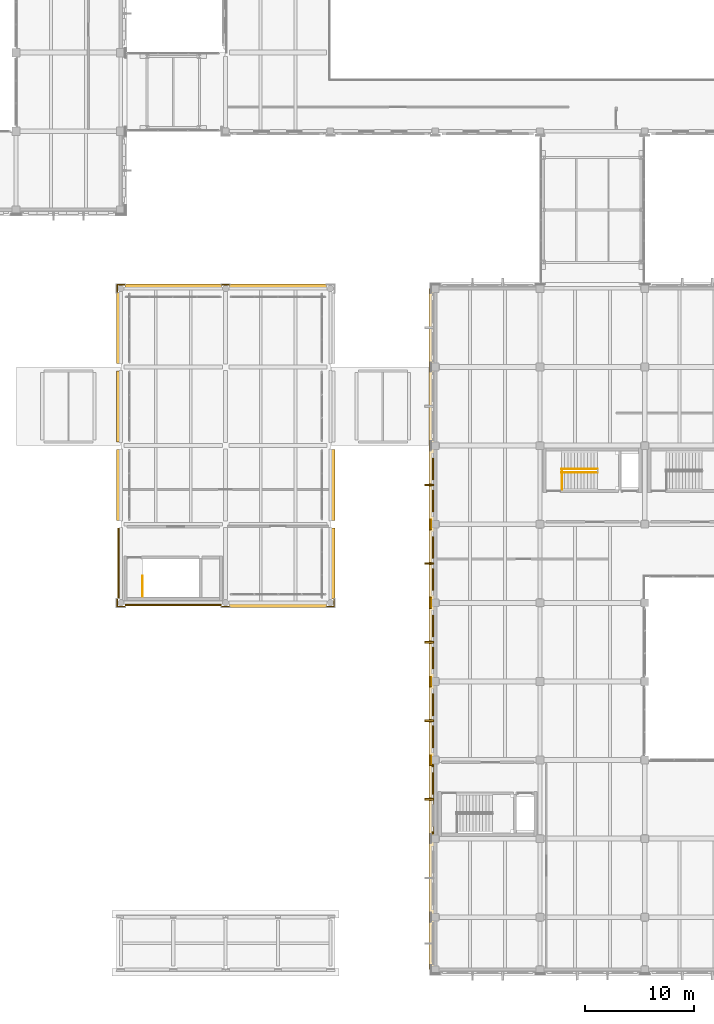
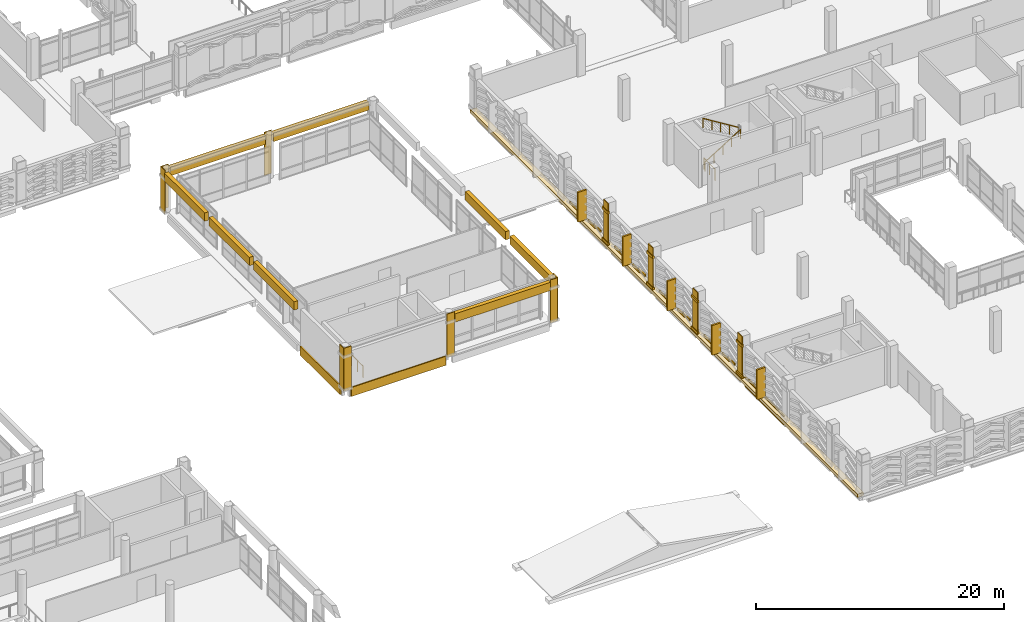
# One storey, part 167 of 180: 55 coverings, 4 railings.
"""IFC4 building model written with IfcOpenShell, lengths in metres."""

from ifc_helpers import new_model, si_unit, direction, frame, origin, origin_2d, place, context, subcontext, project, spatial, rectangle, circle, extrude, material, layer, layer_set, type_object, element, save


model = new_model("IFC4")

# Units and contexts
model_context = context("Model", 3, precision=1e-05, world=origin(), true_north=direction((0.0, 1.0)))
body_context = subcontext(model_context, "Body", "Model", "MODEL_VIEW")
ifc_project = project(units=[si_unit("LENGTHUNIT", "METRE"), si_unit("AREAUNIT", "SQUARE_METRE"), si_unit("VOLUMEUNIT", "CUBIC_METRE"), si_unit("PLANEANGLEUNIT", "RADIAN"), si_unit("MASSUNIT", "GRAM", prefix="KILO")], contexts=[model_context])

# Site, building, storey
site_placement = place(None, origin())
site = spatial("IfcSite", under=ifc_project, at=site_placement, CompositionType="ELEMENT")
building_placement = place(site_placement, origin())
building = spatial("IfcBuilding", under=site, at=building_placement, Name="Asteropetra Specialist Clinic", CompositionType="ELEMENT")
storey_placement = place(building_placement, frame((0.0, 0.0, 4.419921875)))
storey = spatial("IfcBuildingStorey", under=building, at=storey_placement, Name="L01", CompositionType="ELEMENT", Elevation=4.419921875)

# Coverings
ifc_material_1 = material(Name="Chevron aegean deep")
ifc_layer_1 = layer(ifc_material_1, 0.1201171875)
ifc_layer_set_1 = layer_set([ifc_layer_1], Name="Chevron aegean deep")
covering_type_1 = type_object("IfcCoveringType", Name="CLD-AEG-DEEP", PredefinedType="CLADDING", material=ifc_layer_set_1)
covering_1_placement = place(storey_placement, frame((105.402587890625, 15.60009765625, -0.7998046875), z_axis=(0.0, 0.0, 1.0), x_axis=(1.0, 0.0, 0.0)))
element("IfcCovering", 1, at=covering_1_placement, inside=storey, type_object=covering_type_1, Name="Chevron Spandrel Band CV-2084", PredefinedType="CLADDING", context=body_context, shape_type="SweptSolid", body=[
    extrude(rectangle(XDim=0.1201171875, YDim=6.300048828125, at=origin_2d()), origin(), (0.0, 0.0, 1.0), 0.8798828125),
])
for number, where, z_axis, x_axis, name in (
    (2, (105.387451171875, 17.49853515625, 0.1201171875), (0.0, 0.0, 1.0), (1.0, 0.0, 0.0), "Chevron Ceramic Band CV-2085"),
    (3, (105.387451171875, 16.631591796875, 0.26025390625), (0.0, 0.0, 1.0), (1.0, 0.0, 0.0), "Chevron Ceramic Band CV-2086"),
    (4, (105.387451171875, 24.698486328125, 0.1201171875), (0.0, 0.0, 1.0), (1.0, 0.0, 0.0), "Chevron Ceramic Band CV-2093"),
    (5, (105.387451171875, 23.83154296875, 0.26025390625), (0.0, 0.0, 1.0), (1.0, 0.0, 0.0), "Chevron Ceramic Band CV-2094"),
    (6, (105.387451171875, 21.7685546875, 0.1201171875), (0.0, 0.0, 1.0), (1.0, 0.0, 0.0), "Chevron Ceramic Band CV-2095"),
    (7, (105.387451171875, 20.901611328125, 0.26025390625), (0.0, 0.0, 1.0), (1.0, 0.0, 0.0), "Chevron Ceramic Band CV-2096"),
    (8, (105.387451171875, 31.8984375, 0.1201171875), (0.0, 0.0, 1.0), (1.0, 0.0, 0.0), "Chevron Ceramic Band CV-2101"),
    (9, (105.387451171875, 31.031494140625, 0.26025390625), (0.0, 0.0, 1.0), (1.0, 0.0, 0.0), "Chevron Ceramic Band CV-2102"),
    (10, (105.387451171875, 28.968505859375, 0.1201171875), (0.0, 0.0, 1.0), (1.0, 0.0, 0.0), "Chevron Ceramic Band CV-2103"),
    (11, (105.387451171875, 28.1015625, 0.26025390625), (0.0, 0.0, 1.0), (1.0, 0.0, 0.0), "Chevron Ceramic Band CV-2104"),
    (12, (105.387451171875, 39.098388671875, 0.1201171875), (0.0, 0.0, 1.0), (1.0, 0.0, 0.0), "Chevron Ceramic Band CV-2110"),
    (13, (105.387451171875, 38.2314453125, 0.26025390625), (0.0, 0.0, 1.0), (1.0, 0.0, 0.0), "Chevron Ceramic Band CV-2111"),
    (14, (105.387451171875, 36.16845703125, 0.1201171875), (0.0, 0.0, 1.0), (1.0, 0.0, 0.0), "Chevron Ceramic Band CV-2112"),
    (15, (105.387451171875, 35.301513671875, 0.26025390625), (0.0, 0.0, 1.0), (1.0, 0.0, 0.0), "Chevron Ceramic Band CV-2113"),
    (16, (105.387451171875, 46.298583984375, 0.1201171875), (0.0, 0.0, 1.0), (1.0, 0.0, 0.0), "Chevron Ceramic Band CV-2118"),
    (17, (105.387451171875, 45.431396484375, 0.26025390625), (0.0, 0.0, 1.0), (1.0, 0.0, 0.0), "Chevron Ceramic Band CV-2119"),
    (18, (105.387451171875, 43.368408203125, 0.1201171875), (0.0, 0.0, 1.0), (1.0, 0.0, 0.0), "Chevron Ceramic Band CV-2120"),
    (19, (105.387451171875, 42.50146484375, 0.26025390625), (0.0, 0.0, 1.0), (1.0, 0.0, 0.0), "Chevron Ceramic Band CV-2121"),
):
    element("IfcCovering", number, at=place(storey_placement, frame(where, z_axis=z_axis, x_axis=x_axis)), inside=storey, type_object=covering_type_1, Name=name, PredefinedType="CLADDING", context=body_context, shape_type="SweptSolid", body=[
        extrude(rectangle(XDim=0.1201171875, YDim=1.113037109375, at=origin_2d()), origin(), (0.0, 0.0, 1.0), 0.199951171875),
    ])
ifc_material_2 = material(Name="Pentelic marble ashlar", Category="masonry")
ifc_layer_2 = layer(ifc_material_2, 0.159912109375)
ifc_layer_set_2 = layer_set([ifc_layer_2], Name="Pentelic marble ashlar")
covering_type_2 = type_object("IfcCoveringType", Name="CRN-ENTAB-600", PredefinedType="MOLDING", material=ifc_layer_set_2)
for number, where, z_axis, x_axis, name in (
    (20, (81.60009765625, 62.639892578125, 3.25), (0.0, 0.0, 1.0), (1.0, 0.0, 0.0), "Stoa Classical Entablature SE-0053"),
    (21, (91.199951171875, 33.360107421875, 3.25), (0.0, 0.0, 1.0), (1.0, 0.0, 0.0), "Stoa Classical Entablature SE-0054"),
    (22, (91.199951171875, 62.639892578125, 3.25), (0.0, 0.0, 1.0), (1.0, 0.0, 0.0), "Stoa Classical Entablature SE-0055"),
):
    element("IfcCovering", number, at=place(storey_placement, frame(where, z_axis=z_axis, x_axis=x_axis)), inside=storey, type_object=covering_type_2, Name=name, PredefinedType="MOLDING", context=body_context, shape_type="SweptSolid", body=[
        extrude(rectangle(XDim=8.8798828125, YDim=0.360107421875, at=origin_2d()), origin(), (0.0, 0.0, 1.0), 0.820068359375),
    ])
covering_2_placement = place(storey_placement, frame((96.239990234375, 37.2099609375, 3.25), z_axis=(0.0, 0.0, 1.0), x_axis=(1.0, 0.0, 0.0)))
element("IfcCovering", 23, at=covering_2_placement, inside=storey, type_object=covering_type_2, Name="Stoa Classical Entablature SE-0056", PredefinedType="MOLDING", context=body_context, shape_type="SweptSolid", body=[
    extrude(rectangle(XDim=0.360107421875, YDim=6.5, at=origin_2d()), origin(), (0.0, 0.0, 1.0), 0.820068359375),
])
for number, where, z_axis, x_axis, name in (
    (24, (76.56005859375, 44.39990234375, 3.25), (0.0, 0.0, 1.0), (1.0, 0.0, 0.0), "Stoa Classical Entablature SE-0057"),
    (25, (96.239990234375, 44.39990234375, 3.25), (0.0, 0.0, 1.0), (1.0, 0.0, 0.0), "Stoa Classical Entablature SE-0058"),
    (26, (76.56005859375, 51.60009765625, 3.25), (0.0, 0.0, 1.0), (1.0, 0.0, 0.0), "Stoa Classical Entablature SE-0059"),
):
    element("IfcCovering", number, at=place(storey_placement, frame(where, z_axis=z_axis, x_axis=x_axis)), inside=storey, type_object=covering_type_2, Name=name, PredefinedType="MOLDING", context=body_context, shape_type="SweptSolid", body=[
        extrude(rectangle(XDim=0.360107421875, YDim=6.52001953125, at=origin_2d()), origin(), (0.0, 0.0, 1.0), 0.820068359375),
    ])
covering_3_placement = place(storey_placement, frame((76.56005859375, 58.7900390625, 3.25), z_axis=(0.0, 0.0, 1.0), x_axis=(1.0, 0.0, 0.0)))
element("IfcCovering", 27, at=covering_3_placement, inside=storey, type_object=covering_type_2, Name="Stoa Classical Entablature SE-0061", PredefinedType="MOLDING", context=body_context, shape_type="SweptSolid", body=[
    extrude(rectangle(XDim=0.360107421875, YDim=6.5, at=origin_2d()), origin(), (0.0, 0.0, 1.0), 0.820068359375),
])
covering_4_placement = place(storey_placement, frame((76.800048828125, 33.26806640625, 0.02001953125), z_axis=(0.0, 0.0, 1.0), x_axis=(1.0, 0.0, 0.0)))
element("IfcCovering", 28, at=covering_4_placement, inside=storey, type_object=covering_type_2, Name="Neoclassical Pilaster Facing CM-0427", PredefinedType="MOLDING", context=body_context, shape_type="SweptSolid", body=[
    extrude(rectangle(XDim=0.679931640625, YDim=0.080078125, at=origin_2d()), origin(), (0.0, 0.0, 1.0), 4.239990234375),
])
covering_5_placement = place(storey_placement, frame((76.468017578125, 33.60009765625, 0.02001953125), z_axis=(0.0, 0.0, 1.0), x_axis=(1.0, 0.0, 0.0)))
element("IfcCovering", 29, at=covering_5_placement, inside=storey, type_object=covering_type_2, Name="Neoclassical Pilaster Facing CM-0430", PredefinedType="MOLDING", context=body_context, shape_type="SweptSolid", body=[
    extrude(rectangle(XDim=0.080078125, YDim=0.679931640625, at=origin_2d()), origin(), (0.0, 0.0, 1.0), 4.239990234375),
])
covering_6_placement = place(storey_placement, frame((76.800048828125, 62.73193359375, 0.02001953125), z_axis=(0.0, 0.0, 1.0), x_axis=(1.0, 0.0, 0.0)))
element("IfcCovering", 30, at=covering_6_placement, inside=storey, type_object=covering_type_2, Name="Neoclassical Pilaster Facing CM-0433", PredefinedType="MOLDING", context=body_context, shape_type="SweptSolid", body=[
    extrude(rectangle(XDim=0.679931640625, YDim=0.080078125, at=origin_2d()), origin(), (0.0, 0.0, 1.0), 4.239990234375),
])
covering_7_placement = place(storey_placement, frame((76.468017578125, 62.39990234375, 0.02001953125), z_axis=(0.0, 0.0, 1.0), x_axis=(1.0, 0.0, 0.0)))
element("IfcCovering", 31, at=covering_7_placement, inside=storey, type_object=covering_type_2, Name="Neoclassical Pilaster Facing CM-0436", PredefinedType="MOLDING", context=body_context, shape_type="SweptSolid", body=[
    extrude(rectangle(XDim=0.080078125, YDim=0.679931640625, at=origin_2d()), origin(), (0.0, 0.0, 1.0), 4.239990234375),
])
for number, where, z_axis, x_axis, name in (
    (32, (86.39990234375, 33.26806640625, 0.02001953125), (0.0, 0.0, 1.0), (1.0, 0.0, 0.0), "Neoclassical Pilaster Facing CM-0439"),
    (33, (86.39990234375, 62.73193359375, 0.02001953125), (0.0, 0.0, 1.0), (1.0, 0.0, 0.0), "Neoclassical Pilaster Facing CM-0442"),
    (34, (96.0, 33.26806640625, 0.02001953125), (0.0, 0.0, 1.0), (1.0, 0.0, 0.0), "Neoclassical Pilaster Facing CM-0445"),
):
    element("IfcCovering", number, at=place(storey_placement, frame(where, z_axis=z_axis, x_axis=x_axis)), inside=storey, type_object=covering_type_2, Name=name, PredefinedType="MOLDING", context=body_context, shape_type="SweptSolid", body=[
        extrude(rectangle(XDim=0.679931640625, YDim=0.080078125, at=origin_2d()), origin(), (0.0, 0.0, 1.0), 4.239990234375),
    ])
covering_8_placement = place(storey_placement, frame((96.33203125, 33.60009765625, 0.02001953125), z_axis=(0.0, 0.0, 1.0), x_axis=(1.0, 0.0, 0.0)))
element("IfcCovering", 35, at=covering_8_placement, inside=storey, type_object=covering_type_2, Name="Neoclassical Pilaster Facing CM-0448", PredefinedType="MOLDING", context=body_context, shape_type="SweptSolid", body=[
    extrude(rectangle(XDim=0.080078125, YDim=0.679931640625, at=origin_2d()), origin(), (0.0, 0.0, 1.0), 4.239990234375),
])
covering_9_placement = place(storey_placement, frame((105.218017578125, 19.199951171875, 0.02001953125), z_axis=(0.0, 0.0, 1.0), x_axis=(1.0, 0.0, 0.0)))
element("IfcCovering", 36, at=covering_9_placement, inside=storey, type_object=covering_type_2, Name="Neoclassical Pilaster Facing CM-1025", PredefinedType="MOLDING", context=body_context, shape_type="SweptSolid", body=[
    extrude(rectangle(XDim=0.080078125, YDim=0.780029296875, at=origin_2d()), origin(), (0.0, 0.0, 1.0), 4.0400390625),
])
for number, where, z_axis, x_axis, name in (
    (37, (105.177978515625, 19.199951171875, 0.01025390625), (0.0, 0.0, 1.0), (1.0, 0.0, 0.0), "Doric Base CC-1026"),
    (38, (105.177978515625, 19.199951171875, 3.08984375), (0.0, 0.0, 1.0), (1.0, 0.0, 0.0), "Doric Capital CC-1027"),
):
    element("IfcCovering", number, at=place(storey_placement, frame(where, z_axis=z_axis, x_axis=x_axis)), inside=storey, type_object=covering_type_2, Name=name, PredefinedType="MOLDING", context=body_context, shape_type="SweptSolid", body=[
        extrude(rectangle(XDim=0.159912109375, YDim=0.97998046875, at=origin_2d()), origin(), (0.0, 0.0, 1.0), 0.260009765625),
    ])
covering_10_placement = place(storey_placement, frame((105.218017578125, 26.39990234375, 0.02001953125), z_axis=(0.0, 0.0, 1.0), x_axis=(1.0, 0.0, 0.0)))
element("IfcCovering", 39, at=covering_10_placement, inside=storey, type_object=covering_type_2, Name="Neoclassical Pilaster Facing CM-1028", PredefinedType="MOLDING", context=body_context, shape_type="SweptSolid", body=[
    extrude(rectangle(XDim=0.080078125, YDim=0.780029296875, at=origin_2d()), origin(), (0.0, 0.0, 1.0), 4.0400390625),
])
for number, where, z_axis, x_axis, name in (
    (40, (105.177978515625, 26.39990234375, 0.01025390625), (0.0, 0.0, 1.0), (1.0, 0.0, 0.0), "Doric Base CC-1029"),
    (41, (105.177978515625, 26.39990234375, 3.08984375), (0.0, 0.0, 1.0), (1.0, 0.0, 0.0), "Doric Capital CC-1030"),
):
    element("IfcCovering", number, at=place(storey_placement, frame(where, z_axis=z_axis, x_axis=x_axis)), inside=storey, type_object=covering_type_2, Name=name, PredefinedType="MOLDING", context=body_context, shape_type="SweptSolid", body=[
        extrude(rectangle(XDim=0.159912109375, YDim=0.97998046875, at=origin_2d()), origin(), (0.0, 0.0, 1.0), 0.260009765625),
    ])
covering_11_placement = place(storey_placement, frame((105.218017578125, 33.60009765625, 0.02001953125), z_axis=(0.0, 0.0, 1.0), x_axis=(1.0, 0.0, 0.0)))
element("IfcCovering", 42, at=covering_11_placement, inside=storey, type_object=covering_type_2, Name="Neoclassical Pilaster Facing CM-1031", PredefinedType="MOLDING", context=body_context, shape_type="SweptSolid", body=[
    extrude(rectangle(XDim=0.080078125, YDim=0.780029296875, at=origin_2d()), origin(), (0.0, 0.0, 1.0), 4.0400390625),
])
for number, where, z_axis, x_axis, name in (
    (43, (105.177978515625, 33.60009765625, 0.01025390625), (0.0, 0.0, 1.0), (1.0, 0.0, 0.0), "Doric Base CC-1032"),
    (44, (105.177978515625, 33.60009765625, 3.08984375), (0.0, 0.0, 1.0), (1.0, 0.0, 0.0), "Doric Capital CC-1033"),
):
    element("IfcCovering", number, at=place(storey_placement, frame(where, z_axis=z_axis, x_axis=x_axis)), inside=storey, type_object=covering_type_2, Name=name, PredefinedType="MOLDING", context=body_context, shape_type="SweptSolid", body=[
        extrude(rectangle(XDim=0.159912109375, YDim=0.97998046875, at=origin_2d()), origin(), (0.0, 0.0, 1.0), 0.260009765625),
    ])
covering_12_placement = place(storey_placement, frame((105.218017578125, 40.800048828125, 0.02001953125), z_axis=(0.0, 0.0, 1.0), x_axis=(1.0, 0.0, 0.0)))
element("IfcCovering", 45, at=covering_12_placement, inside=storey, type_object=covering_type_2, Name="Neoclassical Pilaster Facing CM-1034", PredefinedType="MOLDING", context=body_context, shape_type="SweptSolid", body=[
    extrude(rectangle(XDim=0.080078125, YDim=0.780029296875, at=origin_2d()), origin(), (0.0, 0.0, 1.0), 4.0400390625),
])
for number, where, z_axis, x_axis, name in (
    (46, (105.177978515625, 40.800048828125, 0.01025390625), (0.0, 0.0, 1.0), (1.0, 0.0, 0.0), "Doric Base CC-1035"),
    (47, (105.177978515625, 40.800048828125, 3.08984375), (0.0, 0.0, 1.0), (1.0, 0.0, 0.0), "Doric Capital CC-1036"),
):
    element("IfcCovering", number, at=place(storey_placement, frame(where, z_axis=z_axis, x_axis=x_axis)), inside=storey, type_object=covering_type_2, Name=name, PredefinedType="MOLDING", context=body_context, shape_type="SweptSolid", body=[
        extrude(rectangle(XDim=0.159912109375, YDim=0.97998046875, at=origin_2d()), origin(), (0.0, 0.0, 1.0), 0.260009765625),
    ])
covering_13_placement = place(storey_placement, frame((81.60009765625, 33.389892578125, -0.7998046875), z_axis=(0.0, 0.0, 1.0), x_axis=(1.0, 0.0, 0.0)))
element("IfcCovering", 48, at=covering_13_placement, inside=storey, type_object=covering_type_2, Name="Chevron Spandrel Band CV-1372", PredefinedType="MOLDING", context=body_context, shape_type="SweptSolid", body=[
    extrude(rectangle(XDim=8.800048828125, YDim=0.1201171875, at=origin_2d()), origin(), (0.0, 0.0, 1.0), 0.8798828125),
])
covering_14_placement = place(storey_placement, frame((76.590087890625, 37.2099609375, -0.7998046875), z_axis=(0.0, 0.0, 1.0), x_axis=(1.0, 0.0, 0.0)))
element("IfcCovering", 49, at=covering_14_placement, inside=storey, type_object=covering_type_2, Name="Chevron Spandrel Band CV-1373", PredefinedType="MOLDING", context=body_context, shape_type="SweptSolid", body=[
    extrude(rectangle(XDim=0.1201171875, YDim=6.419921875, at=origin_2d()), origin(), (0.0, 0.0, 1.0), 0.8798828125),
])
covering_15_placement = place(storey_placement, frame((105.320068359375, 31.199951171875, -0.27978515625), z_axis=(0.0, 0.0, 1.0), x_axis=(1.0, 0.0, 0.0)))
element("IfcCovering", 50, at=covering_15_placement, inside=storey, type_object=covering_type_2, Name="Classical Entablature Cornice EC-015", PredefinedType="MOLDING", context=body_context, shape_type="SweptSolid", body=[
    extrude(rectangle(XDim=0.56005859375, YDim=62.39990234375, at=origin_2d()), origin(), (0.0, 0.0, 1.0), 0.320068359375),
])
ifc_material_3 = material(Name="Pentelic marble solar fin", Category="masonry")
ifc_layer_3 = layer(ifc_material_3, 0.080078125)
ifc_layer_set_3 = layer_set([ifc_layer_3], Name="Pentelic marble solar fin")
covering_type_3 = type_object("IfcCoveringType", Name="FIN-SOLAR-800", PredefinedType="MOLDING", material=ifc_layer_set_3)
for number, where, z_axis, x_axis, name in (
    (51, (105.047607421875, 15.60009765625, 0.070068359375), (0.0, 0.0, 1.0), (1.0, 0.0, 0.0), "Solar Shading Fin FN-0170"),
    (52, (105.047607421875, 22.800048828125, 0.070068359375), (0.0, 0.0, 1.0), (1.0, 0.0, 0.0), "Solar Shading Fin FN-0172"),
    (53, (105.047607421875, 30.0, 0.070068359375), (0.0, 0.0, 1.0), (1.0, 0.0, 0.0), "Solar Shading Fin FN-0174"),
    (54, (105.047607421875, 37.199951171875, 0.070068359375), (0.0, 0.0, 1.0), (1.0, 0.0, 0.0), "Solar Shading Fin FN-0176"),
    (55, (105.047607421875, 44.39990234375, 0.070068359375), (0.0, 0.0, 1.0), (1.0, 0.0, 0.0), "Solar Shading Fin FN-0178"),
):
    element("IfcCovering", number, at=place(storey_placement, frame(where, z_axis=z_axis, x_axis=x_axis)), inside=storey, type_object=covering_type_3, Name=name, PredefinedType="MOLDING", context=body_context, shape_type="SweptSolid", body=[
        extrude(rectangle(XDim=0.800048828125, YDim=0.159912109375, at=origin_2d()), origin(), (0.0, 0.0, 1.0), 2.919921875),
    ])

# Railings
ifc_material_4 = material(Name="Steel S355 and laminated glass guard", Category="steel")
railing_type_1 = type_object("IfcRailingType", Name="GRD-INT-1120", PredefinedType="GUARDRAIL", material=ifc_material_4)
railing_1_placement = place(storey_placement, frame((117.199951171875, 43.97998046875, 0.0)))
element("IfcRailing", 56, at=railing_1_placement, inside=storey, type_object=railing_type_1, Name="Stair Well Guard ST10-L00", PredefinedType="GUARDRAIL", context=body_context, shape_type="SweptSolid", body=[
    extrude(circle(Radius=0.02392578125, at=origin_2d()), frame((0.0, 0.0, 1.09619140625), z_axis=(0.0, 1.0, 0.0), x_axis=(-1.0, 0.0, 0.0)), (0.0, 0.0, 1.0), 1.830078125),
    extrude(circle(Radius=0.02099609375, at=origin_2d()), origin(), (0.0, 0.0, 1.0), 1.072021484375),
    extrude(circle(Radius=0.02099609375, at=origin_2d()), frame((0.0, 0.9150390625, 0.0)), (0.0, 0.0, 1.0), 1.072021484375),
    extrude(circle(Radius=0.02099609375, at=origin_2d()), frame((0.0, 1.830078125, 0.0)), (0.0, 0.0, 1.0), 1.072021484375),
])
railing_2_placement = place(storey_placement, frame((78.800048828125, 34.199951171875, 0.0)))
element("IfcRailing", 57, at=railing_2_placement, inside=storey, type_object=railing_type_1, Name="Stair Well Guard ST13-L00", PredefinedType="GUARDRAIL", context=body_context, shape_type="SweptSolid", body=[
    extrude(circle(Radius=0.02392578125, at=origin_2d()), frame((0.0, 0.0, 1.09619140625), z_axis=(0.0, 1.0, 0.0), x_axis=(-1.0, 0.0, 0.0)), (0.0, 0.0, 1.0), 1.880126953125),
    extrude(circle(Radius=0.02099609375, at=origin_2d()), origin(), (0.0, 0.0, 1.0), 1.072021484375),
    extrude(circle(Radius=0.02099609375, at=origin_2d()), frame((0.0, 0.93994140625, 0.0)), (0.0, 0.0, 1.0), 1.072021484375),
    extrude(circle(Radius=0.02099609375, at=origin_2d()), frame((0.0, 1.880126953125, 0.0)), (0.0, 0.0, 1.0), 1.072021484375),
])
ifc_material_5 = material(Name="Brushed stainless steel handrail", Category="steel")
railing_type_2 = type_object("IfcRailingType", Name="HRL-STAIR-920", PredefinedType="HANDRAIL", material=ifc_material_5)
railing_3_placement = place(storey_placement, frame((117.14990234375, 45.52001953125, 0.0)))
element("IfcRailing", 58, at=railing_3_placement, inside=storey, type_object=railing_type_2, Name="Stair Handrail ST10-L01 F1", PredefinedType="HANDRAIL", context=body_context, shape_type="SweptSolid", body=[
    extrude(circle(Radius=0.02392578125, at=origin_2d()), frame((0.0, 0.0, 0.89599609375), z_axis=(0.850593546085, 0.0, 0.525823753132), x_axis=(0.0, 1.0, 0.0)), (0.0, 0.0, 1.0), 3.879638671875),
    extrude(circle(Radius=0.02099609375, at=origin_2d()), origin(), (0.0, 0.0, 1.0), 0.871826171875),
    extrude(circle(Radius=0.02099609375, at=origin_2d()), frame((0.824951171875, 0.0, 0.510009765625)), (0.0, 0.0, 1.0), 0.871826171875),
    extrude(circle(Radius=0.02099609375, at=origin_2d()), frame((1.64990234375, 0.0, 1.02001953125)), (0.0, 0.0, 1.0), 0.871826171875),
    extrude(circle(Radius=0.02099609375, at=origin_2d()), frame((2.47509765625, 0.0, 1.530029296875)), (0.0, 0.0, 1.0), 0.871826171875),
    extrude(circle(Radius=0.02099609375, at=origin_2d()), frame((3.300048828125, 0.0, 2.0400390625)), (0.0, 0.0, 1.0), 0.871826171875),
])
railing_4_placement = place(storey_placement, frame((120.449951171875, 45.860107421875, 2.0400390625)))
element("IfcRailing", 59, at=railing_4_placement, inside=storey, type_object=railing_type_2, Name="Stair Handrail ST10-L01 F2", PredefinedType="HANDRAIL", context=body_context, shape_type="SweptSolid", body=[
    extrude(circle(Radius=0.02392578125, at=origin_2d()), frame((0.0, 0.0, 0.89599609375), z_axis=(-0.850593546085, 0.0, 0.525823753132), x_axis=(0.0, -1.0, 0.0)), (0.0, 0.0, 1.0), 3.879638671875),
    extrude(circle(Radius=0.02099609375, at=origin_2d()), origin(), (0.0, 0.0, 1.0), 0.871826171875),
    extrude(circle(Radius=0.02099609375, at=origin_2d()), frame((-0.824951171875, 0.0, 0.510009765625)), (0.0, 0.0, 1.0), 0.871826171875),
    extrude(circle(Radius=0.02099609375, at=origin_2d()), frame((-1.64990234375, 0.0, 1.02001953125)), (0.0, 0.0, 1.0), 0.871826171875),
    extrude(circle(Radius=0.02099609375, at=origin_2d()), frame((-2.47509765625, 0.0, 1.530029296875)), (0.0, 0.0, 1.0), 0.871826171875),
    extrude(circle(Radius=0.02099609375, at=origin_2d()), frame((-3.300048828125, 0.0, 2.0400390625)), (0.0, 0.0, 1.0), 0.871826171875),
])

save(model, "model.ifc")
